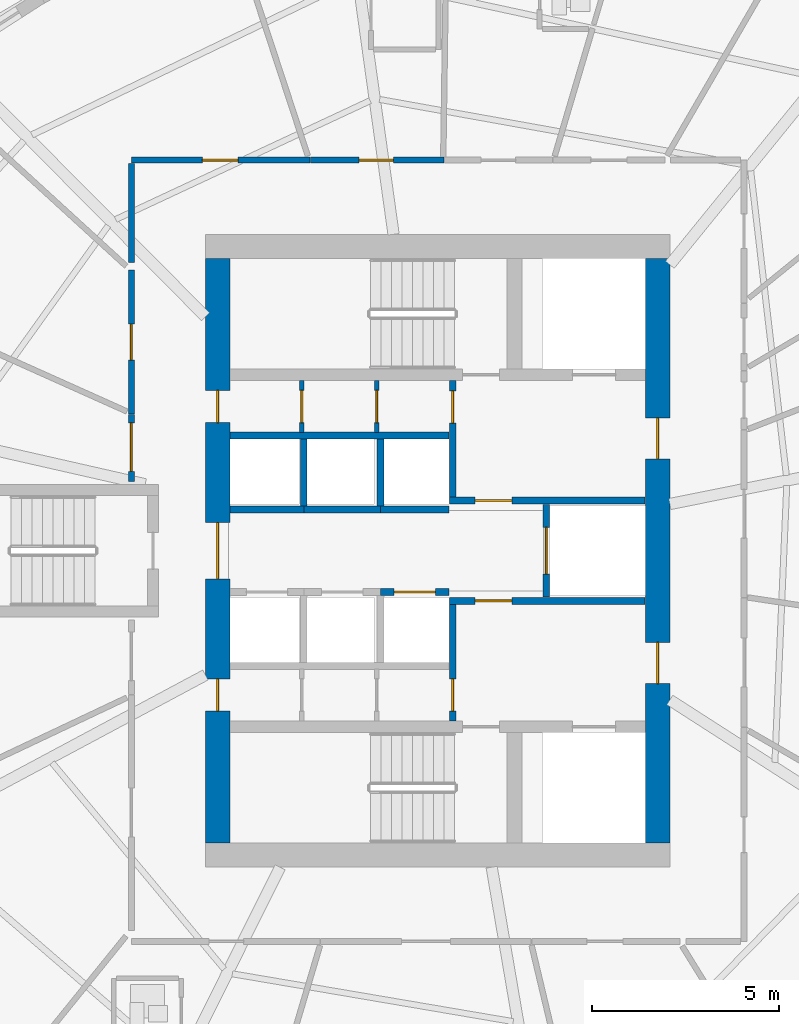
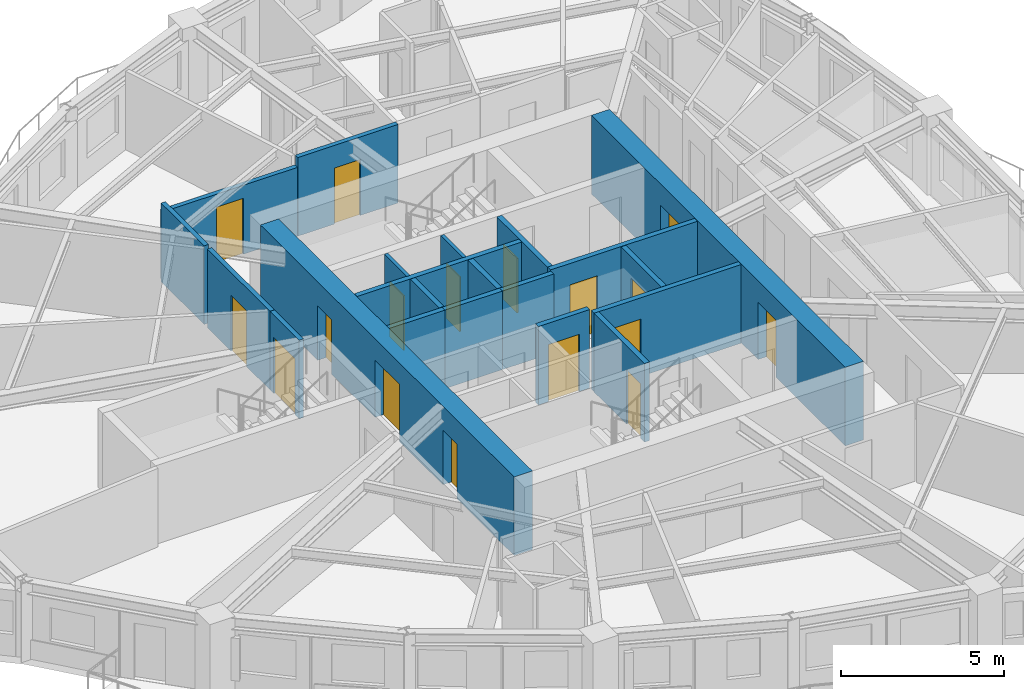
# One storey, part 5 of 12: 21 walls, 17 doors, 17 openings.
"""IFC4 building model written with IfcOpenShell, lengths in metres."""

from ifc_helpers import new_model, si_unit, direction, frame, frame_2d, origin, place, context, subcontext, project, spatial, rectangle, extrude, source, transform, mapped, material, layer, layer_set, type_object, element, fill, save


model = new_model("IFC4")

# Units and contexts
model_context = context("Model", 3, precision=1e-05, world=origin(), true_north=direction((0.0, 1.0)))
body_context = subcontext(model_context, "Body", "Model", "MODEL_VIEW")
ifc_project = project(units=[si_unit("LENGTHUNIT", "METRE"), si_unit("AREAUNIT", "SQUARE_METRE"), si_unit("VOLUMEUNIT", "CUBIC_METRE"), si_unit("PLANEANGLEUNIT", "RADIAN"), si_unit("MASSUNIT", "GRAM", prefix="KILO")], contexts=[model_context])

# Site, building, storey
site_placement = place(None, origin())
site = spatial("IfcSite", under=ifc_project, at=site_placement, CompositionType="ELEMENT")
building_placement = place(site_placement, origin())
building = spatial("IfcBuilding", under=site, at=building_placement, Name="Qafzar Sky-Pleat Residences", CompositionType="ELEMENT")
storey_placement = place(building_placement, frame((0.0, 0.0, 92.800048828125)))
storey = spatial("IfcBuildingStorey", under=building, at=storey_placement, Name="L27", CompositionType="ELEMENT", Elevation=92.800048828125)

# Wall, opening, door
ifc_material_1 = material(Name="Acoustic gypsum plasterboard partition", Category="gypsum")
ifc_layer_1 = layer(ifc_material_1, 0.159912109375)
ifc_layer_set_1 = layer_set([ifc_layer_1], Name="Acoustic gypsum plasterboard partition")
wall_type_1 = type_object("IfcWallType", Name="PART-COR-160", PredefinedType="PARTITIONING", material=ifc_layer_set_1)
wall_1_placement = place(storey_placement, frame((22.169921875, 36.429931640625, 0.0), z_axis=(0.0, 0.0, 1.0), x_axis=(1.0, 0.0, 0.0)))
wall_1 = element("IfcWall", 1, at=wall_1_placement, inside=storey, type_object=wall_type_1, Name="L27 Partition Wall PART-L27-PW-005", PredefinedType="PARTITIONING", context=body_context, shape_type="SweptSolid", body=[
    extrude(rectangle(XDim=4.76708984375, YDim=0.159912109375, at=frame_2d((2.383544921875, 0.0))), origin(), (0.0, 0.0, 1.0), 2.587890625),
])
opening_1_placement = place(wall_1_placement, frame((1.8955078125, 0.0, 0.0)))
opening_1 = element("IfcOpeningElement", 2, at=opening_1_placement, cuts=wall_1, Name="Opening ID-06", PredefinedType="OPENING", context=body_context, shape_type="SweptSolid", body=[
    extrude(rectangle(XDim=0.9599609375, YDim=2.10009765625, at=frame_2d((0.47998046875, 1.050048828125))), frame((0.0, 0.08984375, 0.0), z_axis=(0.0, -1.0, 0.0), x_axis=(1.0, 0.0, 0.0)), (0.0, 0.0, 1.0), 0.179931640625),
])
ifc_material_2 = material(Name="Timber-faced fire door", Category="wood")
door_type_1 = type_object("IfcDoorType", Name="DR-STD-960", OperationType="NOTDEFINED", PredefinedType="DOOR", material=ifc_material_2)
shared_shape_1 = source(origin(), body_context, "Body", "SweptSolid", [
    extrude(rectangle(XDim=0.9599609375, YDim=2.10009765625, at=frame_2d((0.47998046875, 1.050048828125))), frame((0.0, 0.02490234375, 0.0), z_axis=(0.0, -1.0, 0.0), x_axis=(1.0, 0.0, 0.0)), (0.0, 0.0, 1.0), 0.050048828125),
])
door_1_placement = place(opening_1_placement, origin())
door_1 = element("IfcDoor", 3, at=door_1_placement, inside=storey, type_object=door_type_1, Name="L27 Graduate Desk Workspace Door", OperationType="SINGLE_SWING_RIGHT", OverallHeight=2.10009765625, OverallWidth=0.9599609375, PredefinedType="DOOR", context=body_context, shape_type="MappedRepresentation", body=[
    mapped(shared_shape_1, transform((0.0, 0.0, 0.0), x_axis=(1.0, 0.0, 0.0), y_axis=(0.0, 1.0, 0.0), z_axis=(0.0, 0.0, 1.0), scale=1.0)),
])
fill(opening_1, door_1)

wall_2_placement = place(storey_placement, frame((22.169921875, 29.64990234375, 0.0), z_axis=(0.0, 0.0, 1.0), x_axis=(0.0, 1.0, 0.0)))
wall_2 = element("IfcWall", 4, at=wall_2_placement, inside=storey, type_object=wall_type_1, Name="L27 Partition Wall PART-L27-PW-008", PredefinedType="PARTITIONING", context=body_context, shape_type="SweptSolid", body=[
    extrude(rectangle(XDim=3.84716796875, YDim=0.159912109375, at=frame_2d((1.923583984375, 0.0))), origin(), (0.0, 0.0, 1.0), 2.949951171875),
])
opening_2_placement = place(wall_2_placement, frame((1.44091796875, 0.0, 0.0)))
opening_2 = element("IfcOpeningElement", 5, at=opening_2_placement, cuts=wall_2, Name="Opening ID-06", PredefinedType="OPENING", context=body_context, shape_type="SweptSolid", body=[
    extrude(rectangle(XDim=0.9599609375, YDim=2.10009765625, at=frame_2d((0.47998046875, 1.050048828125))), frame((0.0, 0.08984375, 0.0), z_axis=(0.0, -1.0, 0.0), x_axis=(1.0, 0.0, 0.0)), (0.0, 0.0, 1.0), 0.179931640625),
])
door_2_placement = place(opening_2_placement, origin())
door_2 = element("IfcDoor", 6, at=door_2_placement, inside=storey, type_object=door_type_1, Name="L27 Postdoctoral Admin Office Door", OperationType="SINGLE_SWING_RIGHT", OverallHeight=2.10009765625, OverallWidth=0.9599609375, PredefinedType="DOOR", context=body_context, shape_type="MappedRepresentation", body=[
    mapped(shared_shape_1, transform((0.0, 0.0, 0.0), x_axis=(1.0, 0.0, 0.0), y_axis=(0.0, 1.0, 0.0), z_axis=(0.0, 0.0, 1.0), scale=1.0)),
])
fill(opening_2, door_2)

wall_3_placement = place(storey_placement, frame((26.951904296875, 36.429931640625, 0.0), z_axis=(0.0, 0.0, 1.0), x_axis=(1.0, 0.0, 0.0)))
wall_3 = element("IfcWall", 7, at=wall_3_placement, inside=storey, type_object=wall_type_1, Name="L27 Partition Wall PART-L27-PW-010", PredefinedType="PARTITIONING", context=body_context, shape_type="SweptSolid", body=[
    extrude(rectangle(XDim=3.56201171875, YDim=0.159912109375, at=frame_2d((1.781005859375, 0.0))), origin(), (0.0, 0.0, 1.0), 2.949951171875),
])
opening_3_placement = place(wall_3_placement, frame((1.298095703125, 0.0, 0.0)))
opening_3 = element("IfcOpeningElement", 8, at=opening_3_placement, cuts=wall_3, Name="Opening ID-04", PredefinedType="OPENING", context=body_context, shape_type="SweptSolid", body=[
    extrude(rectangle(XDim=0.919921875, YDim=2.10009765625, at=frame_2d((0.4599609375, 1.050048828125))), frame((0.0, 0.08984375, 0.0), z_axis=(0.0, -1.0, 0.0), x_axis=(1.0, 0.0, 0.0)), (0.0, 0.0, 1.0), 0.179931640625),
])
door_type_2 = type_object("IfcDoorType", Name="DR-BED-920", OperationType="NOTDEFINED", PredefinedType="DOOR", material=ifc_material_2)
shared_shape_2 = source(origin(), body_context, "Body", "SweptSolid", [
    extrude(rectangle(XDim=0.919921875, YDim=2.10009765625, at=frame_2d((0.4599609375, 1.050048828125))), frame((0.0, 0.02490234375, 0.0), z_axis=(0.0, -1.0, 0.0), x_axis=(1.0, 0.0, 0.0)), (0.0, 0.0, 1.0), 0.050048828125),
])
door_3_placement = place(opening_3_placement, origin())
door_3 = element("IfcDoor", 9, at=door_3_placement, inside=storey, type_object=door_type_2, Name="L27 Co-Living Bedroom 4 Door", OperationType="SINGLE_SWING_RIGHT", OverallHeight=2.10009765625, OverallWidth=0.919921875, PredefinedType="DOOR", context=body_context, shape_type="MappedRepresentation", body=[
    mapped(shared_shape_2, transform((0.0, 0.0, 0.0), x_axis=(1.0, 0.0, 0.0), y_axis=(0.0, 1.0, 0.0), z_axis=(0.0, 0.0, 1.0), scale=1.0)),
])
fill(opening_3, door_3)

wall_4_placement = place(storey_placement, frame((22.169921875, 27.85009765625, 0.0), z_axis=(0.0, 0.0, 1.0), x_axis=(0.0, 1.0, 0.0)))
wall_4 = element("IfcWall", 10, at=wall_4_placement, inside=storey, type_object=wall_type_1, Name="L27 Partition Wall PART-L27-PW-019", PredefinedType="PARTITIONING", context=body_context, shape_type="SweptSolid", body=[
    extrude(rectangle(XDim=1.784912109375, YDim=0.159912109375, at=frame_2d((0.892578125, 0.0))), origin(), (0.0, 0.0, 1.0), 2.949951171875),
])
opening_4_placement = place(wall_4_placement, frame((0.266845703125, 0.0, 0.0)))
opening_4 = element("IfcOpeningElement", 11, at=opening_4_placement, cuts=wall_4, Name="Opening ID-05", PredefinedType="OPENING", context=body_context, shape_type="SweptSolid", body=[
    extrude(rectangle(XDim=1.300048828125, YDim=2.10009765625, at=frame_2d((0.64990234375, 1.050048828125))), frame((0.0, 0.08984375, 0.0), z_axis=(0.0, -1.0, 0.0), x_axis=(1.0, 0.0, 0.0)), (0.0, 0.0, 1.0), 0.179931640625),
])
door_type_3 = type_object("IfcDoorType", Name="DR-LNG-1300", OperationType="DOUBLE_DOOR_SINGLE_SWING", PredefinedType="DOOR", material=ifc_material_2)
shared_shape_3 = source(origin(), body_context, "Body", "SweptSolid", [
    extrude(rectangle(XDim=1.300048828125, YDim=2.10009765625, at=frame_2d((0.64990234375, 1.050048828125))), frame((0.0, 0.02490234375, 0.0), z_axis=(0.0, -1.0, 0.0), x_axis=(1.0, 0.0, 0.0)), (0.0, 0.0, 1.0), 0.050048828125),
])
door_4_placement = place(opening_4_placement, origin())
door_4 = element("IfcDoor", 12, at=door_4_placement, inside=storey, type_object=door_type_3, Name="L27 Academic Seminar Room Door", OperationType="DOUBLE_DOOR_SINGLE_SWING", OverallHeight=2.10009765625, OverallWidth=1.300048828125, PredefinedType="DOOR", context=body_context, shape_type="MappedRepresentation", body=[
    mapped(shared_shape_3, transform((0.0, 0.0, 0.0), x_axis=(1.0, 0.0, 0.0), y_axis=(0.0, 1.0, 0.0), z_axis=(0.0, 0.0, 1.0), scale=1.0)),
])
fill(opening_4, door_4)

# Wall
wall_5_placement = place(storey_placement, frame((22.169921875, 33.69140625, 0.0), z_axis=(0.0, 0.0, 1.0), x_axis=(0.0, 1.0, 0.0)))
element("IfcWall", 13, at=wall_5_placement, inside=storey, type_object=wall_type_1, Name="L27 Partition Wall PART-L27-PW-040", PredefinedType="PARTITIONING", context=body_context, shape_type="SweptSolid", body=[
    extrude(rectangle(XDim=2.650634765625, YDim=0.159912109375, at=frame_2d((1.3251953125, 0.0))), origin(), (0.0, 0.0, 1.0), 2.949951171875),
])

# Wall, opening, door
ifc_material_3 = material(Name="Concrete blockwork partition", Category="masonry")
ifc_layer_2 = layer(ifc_material_3, 0.179931640625)
ifc_layer_set_2 = layer_set([ifc_layer_2], Name="Concrete blockwork partition")
wall_type_2 = type_object("IfcWallType", Name="PART-SHAFT-180", PredefinedType="PARTITIONING", material=ifc_layer_set_2)
wall_6_placement = place(storey_placement, frame((30.75, 21.4599609375, 0.0), z_axis=(0.0, 0.0, 1.0), x_axis=(0.0, 1.0, 0.0)))
wall_6 = element("IfcWall", 14, at=wall_6_placement, inside=storey, type_object=wall_type_2, Name="L27 Partition Wall PART-L27-FFL1-W", PredefinedType="PARTITIONING", context=body_context, shape_type="SweptSolid", body=[
    extrude(rectangle(XDim=3.110107421875, YDim=0.179931640625, at=frame_2d((1.55517578125, 0.0))), origin(), (0.0, 0.0, 1.0), 2.949951171875),
])
opening_5_placement = place(wall_6_placement, frame((0.260009765625, 0.0, 0.0)))
opening_5 = element("IfcOpeningElement", 15, at=opening_5_placement, cuts=wall_6, Name="Opening ID-09", PredefinedType="OPENING", context=body_context, shape_type="SweptSolid", body=[
    extrude(rectangle(XDim=0.860107421875, YDim=2.050048828125, at=frame_2d((0.43017578125, 1.02490234375))), frame((0.0, 0.10009765625, 0.0), z_axis=(0.0, -1.0, 0.0), x_axis=(1.0, 0.0, 0.0)), (0.0, 0.0, 1.0), 0.199951171875),
])
door_type_4 = type_object("IfcDoorType", Name="DR-SVC-860", OperationType="NOTDEFINED", PredefinedType="DOOR", material=ifc_material_2)
shared_shape_4 = source(origin(), body_context, "Body", "SweptSolid", [
    extrude(rectangle(XDim=0.860107421875, YDim=2.050048828125, at=frame_2d((0.43017578125, 1.02490234375))), frame((0.0, 0.02490234375, 0.0), z_axis=(0.0, -1.0, 0.0), x_axis=(1.0, 0.0, 0.0)), (0.0, 0.0, 1.0), 0.050048828125),
])
door_5_placement = place(opening_5_placement, origin())
door_5 = element("IfcDoor", 16, at=door_5_placement, inside=storey, type_object=door_type_4, Name="L27 South Core Cupboard Door", OperationType="SINGLE_SWING_RIGHT", OverallHeight=2.050048828125, OverallWidth=0.860107421875, PredefinedType="DOOR", context=body_context, shape_type="MappedRepresentation", body=[
    mapped(shared_shape_4, transform((0.0, 0.0, 0.0), x_axis=(1.0, 0.0, 0.0), y_axis=(0.0, 1.0, 0.0), z_axis=(0.0, 0.0, 1.0), scale=1.0)),
])
fill(opening_5, door_5)

wall_7_placement = place(storey_placement, frame((30.669921875, 24.659912109375, 0.0), z_axis=(0.0, 0.0, 1.0), x_axis=(1.0, 0.0, 0.0)))
wall_7 = element("IfcWall", 17, at=wall_7_placement, inside=storey, type_object=wall_type_2, Name="L27 Partition Wall PART-L27-FFL1-N", PredefinedType="PARTITIONING", context=body_context, shape_type="SweptSolid", body=[
    extrude(rectangle(XDim=5.219970703125, YDim=0.179931640625, at=frame_2d((2.60986328125, 0.0))), origin(), (0.0, 0.0, 1.0), 2.949951171875),
])
opening_6_placement = place(wall_7_placement, frame((0.679931640625, 0.0, 0.0)))
opening_6 = element("IfcOpeningElement", 18, at=opening_6_placement, cuts=wall_7, Name="Opening ID-01", PredefinedType="OPENING", context=body_context, shape_type="SweptSolid", body=[
    extrude(rectangle(XDim=0.97998046875, YDim=2.14990234375, at=frame_2d((0.489990234375, 1.074951171875))), frame((0.0, 0.10009765625, 0.0), z_axis=(0.0, -1.0, 0.0), x_axis=(1.0, 0.0, 0.0)), (0.0, 0.0, 1.0), 0.199951171875),
])
door_type_5 = type_object("IfcDoorType", Name="DR-STAIR-980", OperationType="NOTDEFINED", PredefinedType="DOOR", material=ifc_material_2)
shared_shape_5 = source(origin(), body_context, "Body", "SweptSolid", [
    extrude(rectangle(XDim=0.97998046875, YDim=2.14990234375, at=frame_2d((0.489990234375, 1.074951171875))), frame((0.0, 0.02490234375, 0.0), z_axis=(0.0, -1.0, 0.0), x_axis=(1.0, 0.0, 0.0)), (0.0, 0.0, 1.0), 0.050048828125),
])
door_6_placement = place(opening_6_placement, origin())
door_6 = element("IfcDoor", 19, at=door_6_placement, inside=storey, type_object=door_type_5, Name="L27 Lift Lobby to South Firefighting Lobby Door", OperationType="SINGLE_SWING_LEFT", OverallHeight=2.14990234375, OverallWidth=0.97998046875, PredefinedType="DOOR", context=body_context, shape_type="MappedRepresentation", body=[
    mapped(shared_shape_5, transform((0.0, 0.0, 0.0), x_axis=(1.0, 0.0, 0.0), y_axis=(0.0, 1.0, 0.0), z_axis=(0.0, 0.0, 1.0), scale=1.0)),
])
fill(opening_6, door_6)

wall_8_placement = place(storey_placement, frame((30.75, 27.429931640625, 0.0), z_axis=(0.0, 0.0, 1.0), x_axis=(0.0, 1.0, 0.0)))
wall_8 = element("IfcWall", 20, at=wall_8_placement, inside=storey, type_object=wall_type_2, Name="L27 Partition Wall PART-L27-FFL2-W", PredefinedType="PARTITIONING", context=body_context, shape_type="SweptSolid", body=[
    extrude(rectangle(XDim=3.110107421875, YDim=0.179931640625, at=frame_2d((1.55517578125, 0.0))), origin(), (0.0, 0.0, 1.0), 2.949951171875),
])
opening_7_placement = place(wall_8_placement, frame((1.97998046875, 0.0, 0.0)))
opening_7 = element("IfcOpeningElement", 21, at=opening_7_placement, cuts=wall_8, Name="Opening ID-09", PredefinedType="OPENING", context=body_context, shape_type="SweptSolid", body=[
    extrude(rectangle(XDim=0.860107421875, YDim=2.050048828125, at=frame_2d((0.43017578125, 1.02490234375))), frame((0.0, 0.10009765625, 0.0), z_axis=(0.0, -1.0, 0.0), x_axis=(1.0, 0.0, 0.0)), (0.0, 0.0, 1.0), 0.199951171875),
])
door_7_placement = place(opening_7_placement, origin())
door_7 = element("IfcDoor", 22, at=door_7_placement, inside=storey, type_object=door_type_4, Name="L27 North Core Cupboard Door", OperationType="SINGLE_SWING_RIGHT", OverallHeight=2.050048828125, OverallWidth=0.860107421875, PredefinedType="DOOR", context=body_context, shape_type="MappedRepresentation", body=[
    mapped(shared_shape_4, transform((0.0, 0.0, 0.0), x_axis=(1.0, 0.0, 0.0), y_axis=(0.0, 1.0, 0.0), z_axis=(0.0, 0.0, 1.0), scale=1.0)),
])
fill(opening_7, door_7)

wall_9_placement = place(storey_placement, frame((30.669921875, 27.340087890625, 0.0), z_axis=(0.0, 0.0, 1.0), x_axis=(1.0, 0.0, 0.0)))
wall_9 = element("IfcWall", 23, at=wall_9_placement, inside=storey, type_object=wall_type_2, Name="L27 Partition Wall PART-L27-FFL2-S", PredefinedType="PARTITIONING", context=body_context, shape_type="SweptSolid", body=[
    extrude(rectangle(XDim=5.219970703125, YDim=0.179931640625, at=frame_2d((2.60986328125, 0.0))), origin(), (0.0, 0.0, 1.0), 2.949951171875),
])
opening_8_placement = place(wall_9_placement, frame((0.679931640625, 0.0, 0.0)))
opening_8 = element("IfcOpeningElement", 24, at=opening_8_placement, cuts=wall_9, Name="Opening ID-01", PredefinedType="OPENING", context=body_context, shape_type="SweptSolid", body=[
    extrude(rectangle(XDim=0.97998046875, YDim=2.14990234375, at=frame_2d((0.489990234375, 1.074951171875))), frame((0.0, 0.10009765625, 0.0), z_axis=(0.0, -1.0, 0.0), x_axis=(1.0, 0.0, 0.0)), (0.0, 0.0, 1.0), 0.199951171875),
])
door_8_placement = place(opening_8_placement, origin())
door_8 = element("IfcDoor", 25, at=door_8_placement, inside=storey, type_object=door_type_5, Name="L27 Lift Lobby to North Firefighting Lobby Door", OperationType="SINGLE_SWING_LEFT", OverallHeight=2.14990234375, OverallWidth=0.97998046875, PredefinedType="DOOR", context=body_context, shape_type="MappedRepresentation", body=[
    mapped(shared_shape_5, transform((0.0, 0.0, 0.0), x_axis=(1.0, 0.0, 0.0), y_axis=(0.0, 1.0, 0.0), z_axis=(0.0, 0.0, 1.0), scale=1.0)),
])
fill(opening_8, door_8)

wall_10_placement = place(storey_placement, frame((33.25, 24.760009765625, 0.0), z_axis=(0.0, 0.0, 1.0), x_axis=(0.0, 1.0, 0.0)))
wall_10 = element("IfcWall", 26, at=wall_10_placement, inside=storey, type_object=wall_type_2, Name="L27 Partition Wall PART-L27-SV1-W", PredefinedType="PARTITIONING", context=body_context, shape_type="SweptSolid", body=[
    extrude(rectangle(XDim=2.47998046875, YDim=0.179931640625, at=frame_2d((1.239990234375, 0.0))), origin(), (0.0, 0.0, 1.0), 2.949951171875),
])
opening_9_placement = place(wall_10_placement, frame((0.614990234375, 0.0, 0.0)))
opening_9 = element("IfcOpeningElement", 27, at=opening_9_placement, cuts=wall_10, Name="Opening LD-03", PredefinedType="OPENING", context=body_context, shape_type="SweptSolid", body=[
    extrude(rectangle(XDim=1.25, YDim=2.14990234375, at=frame_2d((0.625, 1.074951171875))), frame((0.0, 0.10009765625, 0.0), z_axis=(0.0, -1.0, 0.0), x_axis=(1.0, 0.0, 0.0)), (0.0, 0.0, 1.0), 0.199951171875),
])
ifc_material_4 = material(Name="Stainless steel sliding landing door", Category="steel")
door_type_6 = type_object("IfcDoorType", Name="DR-LIFT-SV", OperationType="DOUBLE_DOOR_SLIDING", PredefinedType="DOOR", material=ifc_material_4)
shared_shape_6 = source(origin(), body_context, "Body", "SweptSolid", [
    extrude(rectangle(XDim=1.25, YDim=2.14990234375, at=frame_2d((0.625, 1.074951171875))), frame((0.0, 0.02490234375, 0.0), z_axis=(0.0, -1.0, 0.0), x_axis=(1.0, 0.0, 0.0)), (0.0, 0.0, 1.0), 0.050048828125),
])
door_9_placement = place(opening_9_placement, origin())
door_9 = element("IfcDoor", 28, at=door_9_placement, inside=storey, type_object=door_type_6, Name="L27 Service Lift SV1 Landing Door", OperationType="DOUBLE_DOOR_SLIDING", OverallHeight=2.14990234375, OverallWidth=1.25, PredefinedType="DOOR", context=body_context, shape_type="MappedRepresentation", body=[
    mapped(shared_shape_6, transform((0.0, 0.0, 0.0), x_axis=(1.0, 0.0, 0.0), y_axis=(0.0, 1.0, 0.0), z_axis=(0.0, 0.0, 1.0), scale=1.0)),
])
fill(opening_9, door_9)

wall_11_placement = place(storey_placement, frame((28.824951171875, 24.89990234375, 0.0), z_axis=(0.0, 0.0, 1.0), x_axis=(1.0, 0.0, 0.0)))
wall_11 = element("IfcWall", 29, at=wall_11_placement, inside=storey, type_object=wall_type_2, Name="L27 Partition Wall PART-L27-P3-N", PredefinedType="PARTITIONING", context=body_context, shape_type="SweptSolid", body=[
    extrude(rectangle(XDim=1.824951171875, YDim=0.179931640625, at=frame_2d((0.91259765625, 0.0))), origin(), (0.0, 0.0, 1.0), 2.949951171875),
])
opening_10_placement = place(wall_11_placement, frame((0.362548828125, 0.0, 0.0)))
opening_10 = element("IfcOpeningElement", 30, at=opening_10_placement, cuts=wall_11, Name="Opening LD-01", PredefinedType="OPENING", context=body_context, shape_type="SweptSolid", body=[
    extrude(rectangle(XDim=1.10009765625, YDim=2.14990234375, at=frame_2d((0.550048828125, 1.074951171875))), frame((0.0, 0.10009765625, 0.0), z_axis=(0.0, -1.0, 0.0), x_axis=(1.0, 0.0, 0.0)), (0.0, 0.0, 1.0), 0.199951171875),
])
door_type_7 = type_object("IfcDoorType", Name="DR-LIFT-P", OperationType="DOUBLE_DOOR_SLIDING", PredefinedType="DOOR", material=ifc_material_4)
shared_shape_7 = source(origin(), body_context, "Body", "SweptSolid", [
    extrude(rectangle(XDim=1.10009765625, YDim=2.14990234375, at=frame_2d((0.550048828125, 1.074951171875))), frame((0.0, 0.02490234375, 0.0), z_axis=(0.0, -1.0, 0.0), x_axis=(1.0, 0.0, 0.0)), (0.0, 0.0, 1.0), 0.050048828125),
])
door_10_placement = place(opening_10_placement, origin())
door_10 = element("IfcDoor", 31, at=door_10_placement, inside=storey, type_object=door_type_7, Name="L27 Passenger Lift P3 Landing Door", OperationType="DOUBLE_DOOR_SLIDING", OverallHeight=2.14990234375, OverallWidth=1.10009765625, PredefinedType="DOOR", context=body_context, shape_type="MappedRepresentation", body=[
    mapped(shared_shape_7, transform((0.0, 0.0, 0.0), x_axis=(1.0, 0.0, 0.0), y_axis=(0.0, 1.0, 0.0), z_axis=(0.0, 0.0, 1.0), scale=1.0)),
])
fill(opening_10, door_10)

# Walls
wall_12_placement = place(storey_placement, frame((24.81005859375, 29.080078125, 0.0), z_axis=(0.0, 0.0, 1.0), x_axis=(1.0, 0.0, 0.0)))
element("IfcWall", 32, at=wall_12_placement, inside=storey, type_object=wall_type_2, Name="L27 Partition Wall PART-L27-P46-N", PredefinedType="PARTITIONING", context=body_context, shape_type="SweptSolid", body=[
    extrude(rectangle(XDim=5.83984375, YDim=0.179931640625, at=frame_2d((2.919921875, 0.0))), origin(), (0.0, 0.0, 1.0), 2.949951171875),
])
wall_13_placement = place(storey_placement, frame((24.81005859375, 27.10009765625, 0.0), z_axis=(0.0, 0.0, 1.0), x_axis=(1.0, 0.0, 0.0)))
element("IfcWall", 33, at=wall_13_placement, inside=storey, type_object=wall_type_2, Name="L27 Partition Wall PART-L27-P4-S", PredefinedType="PARTITIONING", context=body_context, shape_type="SweptSolid", body=[
    extrude(rectangle(XDim=1.96484375, YDim=0.179931640625, at=frame_2d((0.982421875, 0.0))), origin(), (0.0, 0.0, 1.0), 2.949951171875),
])
wall_14_placement = place(storey_placement, frame((26.77490234375, 27.10009765625, 0.0), z_axis=(0.0, 0.0, 1.0), x_axis=(1.0, 0.0, 0.0)))
element("IfcWall", 34, at=wall_14_placement, inside=storey, type_object=wall_type_2, Name="L27 Partition Wall PART-L27-P5-S", PredefinedType="PARTITIONING", context=body_context, shape_type="SweptSolid", body=[
    extrude(rectangle(XDim=2.050048828125, YDim=0.179931640625, at=frame_2d((1.02490234375, 0.0))), origin(), (0.0, 0.0, 1.0), 2.949951171875),
])
wall_15_placement = place(storey_placement, frame((26.77490234375, 27.199951171875, 0.0), z_axis=(0.0, 0.0, 1.0), x_axis=(0.0, 1.0, 0.0)))
element("IfcWall", 35, at=wall_15_placement, inside=storey, type_object=wall_type_2, Name="L27 Partition Wall PART-L27-P46-DIV-1", PredefinedType="PARTITIONING", context=body_context, shape_type="SweptSolid", body=[
    extrude(rectangle(XDim=1.780029296875, YDim=0.179931640625, at=frame_2d((0.89013671875, 0.0))), origin(), (0.0, 0.0, 1.0), 2.949951171875),
])
wall_16_placement = place(storey_placement, frame((28.824951171875, 27.10009765625, 0.0), z_axis=(0.0, 0.0, 1.0), x_axis=(1.0, 0.0, 0.0)))
element("IfcWall", 36, at=wall_16_placement, inside=storey, type_object=wall_type_2, Name="L27 Partition Wall PART-L27-P6-S", PredefinedType="PARTITIONING", context=body_context, shape_type="SweptSolid", body=[
    extrude(rectangle(XDim=1.824951171875, YDim=0.179931640625, at=frame_2d((0.91259765625, 0.0))), origin(), (0.0, 0.0, 1.0), 2.949951171875),
])
wall_17_placement = place(storey_placement, frame((28.824951171875, 27.199951171875, 0.0), z_axis=(0.0, 0.0, 1.0), x_axis=(0.0, 1.0, 0.0)))
element("IfcWall", 37, at=wall_17_placement, inside=storey, type_object=wall_type_2, Name="L27 Partition Wall PART-L27-P46-DIV-2", PredefinedType="PARTITIONING", context=body_context, shape_type="SweptSolid", body=[
    extrude(rectangle(XDim=1.780029296875, YDim=0.179931640625, at=frame_2d((0.89013671875, 0.0))), origin(), (0.0, 0.0, 1.0), 2.949951171875),
])

# Wall, opening, door
ifc_material_5 = material(Name="Gypsum plasterboard partition", Category="gypsum")
ifc_layer_3 = layer(ifc_material_5, 0.114990234375)
ifc_layer_set_3 = layer_set([ifc_layer_3], Name="Gypsum plasterboard partition")
wall_type_3 = type_object("IfcWallType", Name="PART-SVC-115", PredefinedType="PARTITIONING", material=ifc_layer_set_3)
wall_18_placement = place(storey_placement, frame((26.72509765625, 29.159912109375, 0.0), z_axis=(0.0, 0.0, 1.0), x_axis=(0.0, 1.0, 0.0)))
wall_18 = element("IfcWall", 38, at=wall_18_placement, inside=storey, type_object=wall_type_3, Name="L27 Partition Wall PART-L27-KC-NW-1", PredefinedType="PARTITIONING", context=body_context, shape_type="SweptSolid", body=[
    extrude(rectangle(XDim=1.380126953125, YDim=0.114990234375, at=frame_2d((0.68994140625, 0.0))), origin(), (0.0, 0.0, 1.0), 2.949951171875),
])
opening_11_placement = place(wall_18_placement, frame((0.260009765625, 0.0, 0.0)))
opening_11 = element("IfcOpeningElement", 39, at=opening_11_placement, cuts=wall_18, Name="Opening ID-09", PredefinedType="OPENING", context=body_context, shape_type="SweptSolid", body=[
    extrude(rectangle(XDim=0.860107421875, YDim=2.050048828125, at=frame_2d((0.43017578125, 1.02490234375))), frame((0.0, 0.0673828125, 0.0), z_axis=(0.0, -1.0, 0.0), x_axis=(1.0, 0.0, 0.0)), (0.0, 0.0, 1.0), 0.135009765625),
])
door_11_placement = place(opening_11_placement, origin())
door_11 = element("IfcDoor", 40, at=door_11_placement, inside=storey, type_object=door_type_4, Name="L27 Core North Cupboard 1 Door", OperationType="SINGLE_SWING_LEFT", OverallHeight=2.050048828125, OverallWidth=0.860107421875, PredefinedType="DOOR", context=body_context, shape_type="MappedRepresentation", body=[
    mapped(shared_shape_4, transform((0.0, 0.0, 0.0), x_axis=(1.0, 0.0, 0.0), y_axis=(0.0, 1.0, 0.0), z_axis=(0.0, 0.0, 1.0), scale=1.0)),
])
fill(opening_11, door_11)

wall_19_placement = place(storey_placement, frame((28.72509765625, 29.159912109375, 0.0), z_axis=(0.0, 0.0, 1.0), x_axis=(0.0, 1.0, 0.0)))
wall_19 = element("IfcWall", 41, at=wall_19_placement, inside=storey, type_object=wall_type_3, Name="L27 Partition Wall PART-L27-KC-NW-2", PredefinedType="PARTITIONING", context=body_context, shape_type="SweptSolid", body=[
    extrude(rectangle(XDim=1.380126953125, YDim=0.114990234375, at=frame_2d((0.68994140625, 0.0))), origin(), (0.0, 0.0, 1.0), 2.949951171875),
])
opening_12_placement = place(wall_19_placement, frame((0.260009765625, 0.0, 0.0)))
opening_12 = element("IfcOpeningElement", 42, at=opening_12_placement, cuts=wall_19, Name="Opening ID-09", PredefinedType="OPENING", context=body_context, shape_type="SweptSolid", body=[
    extrude(rectangle(XDim=0.860107421875, YDim=2.050048828125, at=frame_2d((0.43017578125, 1.02490234375))), frame((0.0, 0.0673828125, 0.0), z_axis=(0.0, -1.0, 0.0), x_axis=(1.0, 0.0, 0.0)), (0.0, 0.0, 1.0), 0.135009765625),
])
door_12_placement = place(opening_12_placement, origin())
door_12 = element("IfcDoor", 43, at=door_12_placement, inside=storey, type_object=door_type_4, Name="L27 Core North Cupboard 2 Door", OperationType="SINGLE_SWING_LEFT", OverallHeight=2.050048828125, OverallWidth=0.860107421875, PredefinedType="DOOR", context=body_context, shape_type="MappedRepresentation", body=[
    mapped(shared_shape_4, transform((0.0, 0.0, 0.0), x_axis=(1.0, 0.0, 0.0), y_axis=(0.0, 1.0, 0.0), z_axis=(0.0, 0.0, 1.0), scale=1.0)),
])
fill(opening_12, door_12)

# Wall, openings, doors
ifc_material_6 = material(Name="Concrete C60/75", Category="concrete")
ifc_layer_4 = layer(ifc_material_6, 0.64990234375)
ifc_layer_set_4 = layer_set([ifc_layer_4], Name="Concrete C60/75")
wall_type_4 = type_object("IfcWallType", Name="WALL-SHEAR-650", PredefinedType="SHEAR", material=ifc_layer_set_4)
wall_20_placement = place(storey_placement, frame((24.47509765625, 33.800048828125, 0.0), z_axis=(0.0, 0.0, 1.0), x_axis=(0.0, -1.0, 0.0)))
wall_20 = element("IfcWall", 44, at=wall_20_placement, inside=storey, type_object=wall_type_4, Name="L27 CORE wall W", PredefinedType="SHEAR", context=body_context, shape_type="SweptSolid", body=[
    extrude(rectangle(XDim=15.60009765625, YDim=0.64990234375, at=frame_2d((7.800048828125, 0.0))), origin(), (0.0, 0.0, 1.0), 2.949951171875),
])
opening_13_placement = place(wall_20_placement, frame((7.050048828125, 0.0, 0.0)))
opening_13 = element("IfcOpeningElement", 45, at=opening_13_placement, cuts=wall_20, Name="Opening ID-03", PredefinedType="OPENING", context=body_context, shape_type="SweptSolid", body=[
    extrude(rectangle(XDim=1.5, YDim=2.14990234375, at=frame_2d((0.75, 1.074951171875))), frame((0.0, 0.3349609375, 0.0), z_axis=(0.0, -1.0, 0.0), x_axis=(1.0, 0.0, 0.0)), (0.0, 0.0, 1.0), 0.669921875),
])
opening_14_placement = place(wall_20_placement, frame((3.52001953125, 0.0, 0.0)))
opening_14 = element("IfcOpeningElement", 46, at=opening_14_placement, cuts=wall_20, Name="Opening ID-09", PredefinedType="OPENING", context=body_context, shape_type="SweptSolid", body=[
    extrude(rectangle(XDim=0.860107421875, YDim=2.050048828125, at=frame_2d((0.43017578125, 1.02490234375))), frame((0.0, 0.3349609375, 0.0), z_axis=(0.0, -1.0, 0.0), x_axis=(1.0, 0.0, 0.0)), (0.0, 0.0, 1.0), 0.669921875),
])
opening_15_placement = place(wall_20_placement, frame((11.219970703125, 0.0, 0.0)))
opening_15 = element("IfcOpeningElement", 47, at=opening_15_placement, cuts=wall_20, Name="Opening ID-09", PredefinedType="OPENING", context=body_context, shape_type="SweptSolid", body=[
    extrude(rectangle(XDim=0.860107421875, YDim=2.050048828125, at=frame_2d((0.43017578125, 1.02490234375))), frame((0.0, 0.3349609375, 0.0), z_axis=(0.0, -1.0, 0.0), x_axis=(1.0, 0.0, 0.0)), (0.0, 0.0, 1.0), 0.669921875),
])
door_type_8 = type_object("IfcDoorType", Name="DR-COR-1500", OperationType="DOUBLE_DOOR_SINGLE_SWING", PredefinedType="DOOR", material=ifc_material_2)
shared_shape_8 = source(origin(), body_context, "Body", "SweptSolid", [
    extrude(rectangle(XDim=1.5, YDim=2.14990234375, at=frame_2d((0.75, 1.074951171875))), frame((0.0, 0.02490234375, 0.0), z_axis=(0.0, -1.0, 0.0), x_axis=(1.0, 0.0, 0.0)), (0.0, 0.0, 1.0), 0.050048828125),
])
door_13_placement = place(opening_13_placement, origin())
door_13 = element("IfcDoor", 48, at=door_13_placement, inside=storey, type_object=door_type_8, Name="L27 Lift Lobby West Double Door", OperationType="DOUBLE_DOOR_SINGLE_SWING", OverallHeight=2.14990234375, OverallWidth=1.5, PredefinedType="DOOR", context=body_context, shape_type="MappedRepresentation", body=[
    mapped(shared_shape_8, transform((0.0, 0.0, 0.0), x_axis=(1.0, 0.0, 0.0), y_axis=(0.0, 1.0, 0.0), z_axis=(0.0, 0.0, 1.0), scale=1.0)),
])
fill(opening_13, door_13)
door_14_placement = place(opening_14_placement, origin())
door_14 = element("IfcDoor", 49, at=door_14_placement, inside=storey, type_object=door_type_4, Name="L27 Core North-West Service Door", OperationType="SINGLE_SWING_RIGHT", OverallHeight=2.050048828125, OverallWidth=0.860107421875, PredefinedType="DOOR", context=body_context, shape_type="MappedRepresentation", body=[
    mapped(shared_shape_4, transform((0.0, 0.0, 0.0), x_axis=(1.0, 0.0, 0.0), y_axis=(0.0, 1.0, 0.0), z_axis=(0.0, 0.0, 1.0), scale=1.0)),
])
fill(opening_14, door_14)
door_15_placement = place(opening_15_placement, origin())
door_15 = element("IfcDoor", 50, at=door_15_placement, inside=storey, type_object=door_type_4, Name="L27 Core South-West Service Door", OperationType="SINGLE_SWING_LEFT", OverallHeight=2.050048828125, OverallWidth=0.860107421875, PredefinedType="DOOR", context=body_context, shape_type="MappedRepresentation", body=[
    mapped(shared_shape_4, transform((0.0, 0.0, 0.0), x_axis=(1.0, 0.0, 0.0), y_axis=(0.0, 1.0, 0.0), z_axis=(0.0, 0.0, 1.0), scale=1.0)),
])
fill(opening_15, door_15)

wall_21_placement = place(storey_placement, frame((36.22509765625, 18.199951171875, 0.0), z_axis=(0.0, 0.0, 1.0), x_axis=(0.0, 1.0, 0.0)))
wall_21 = element("IfcWall", 51, at=wall_21_placement, inside=storey, type_object=wall_type_4, Name="L27 CORE wall E", PredefinedType="SHEAR", context=body_context, shape_type="SweptSolid", body=[
    extrude(rectangle(XDim=15.60009765625, YDim=0.64990234375, at=frame_2d((7.800048828125, 0.0))), origin(), (0.0, 0.0, 1.0), 2.949951171875),
])
opening_16_placement = place(wall_21_placement, frame((4.25, 0.0, 0.0)))
opening_16 = element("IfcOpeningElement", 52, at=opening_16_placement, cuts=wall_21, Name="Opening ID-02", PredefinedType="OPENING", context=body_context, shape_type="SweptSolid", body=[
    extrude(rectangle(XDim=1.10009765625, YDim=2.14990234375, at=frame_2d((0.550048828125, 1.074951171875))), frame((0.0, 0.3349609375, 0.0), z_axis=(0.0, -1.0, 0.0), x_axis=(1.0, 0.0, 0.0)), (0.0, 0.0, 1.0), 0.669921875),
])
opening_17_placement = place(wall_21_placement, frame((10.25, 0.0, 0.0)))
opening_17 = element("IfcOpeningElement", 53, at=opening_17_placement, cuts=wall_21, Name="Opening ID-02", PredefinedType="OPENING", context=body_context, shape_type="SweptSolid", body=[
    extrude(rectangle(XDim=1.10009765625, YDim=2.14990234375, at=frame_2d((0.550048828125, 1.074951171875))), frame((0.0, 0.3349609375, 0.0), z_axis=(0.0, -1.0, 0.0), x_axis=(1.0, 0.0, 0.0)), (0.0, 0.0, 1.0), 0.669921875),
])
door_type_9 = type_object("IfcDoorType", Name="DR-FFL-1100", OperationType="NOTDEFINED", PredefinedType="DOOR", material=ifc_material_2)
door_16_placement = place(opening_16_placement, origin())
door_16 = element("IfcDoor", 54, at=door_16_placement, inside=storey, type_object=door_type_9, Name="L27 Firefighting Lobby South Corridor Door", OperationType="SINGLE_SWING_RIGHT", OverallHeight=2.14990234375, OverallWidth=1.10009765625, PredefinedType="DOOR", context=body_context, shape_type="MappedRepresentation", body=[
    mapped(shared_shape_7, transform((0.0, 0.0, 0.0), x_axis=(1.0, 0.0, 0.0), y_axis=(0.0, 1.0, 0.0), z_axis=(0.0, 0.0, 1.0), scale=1.0)),
])
fill(opening_16, door_16)
door_17_placement = place(opening_17_placement, origin())
door_17 = element("IfcDoor", 55, at=door_17_placement, inside=storey, type_object=door_type_9, Name="L27 Firefighting Lobby North Corridor Door", OperationType="SINGLE_SWING_LEFT", OverallHeight=2.14990234375, OverallWidth=1.10009765625, PredefinedType="DOOR", context=body_context, shape_type="MappedRepresentation", body=[
    mapped(shared_shape_7, transform((0.0, 0.0, 0.0), x_axis=(1.0, 0.0, 0.0), y_axis=(0.0, 1.0, 0.0), z_axis=(0.0, 0.0, 1.0), scale=1.0)),
])
fill(opening_17, door_17)

save(model, "model.ifc")
